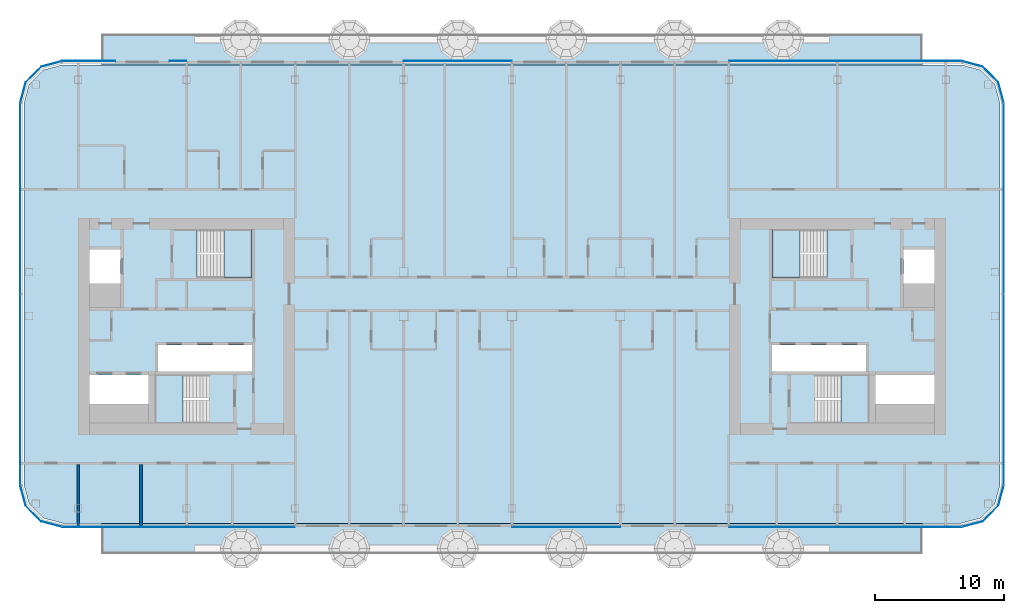
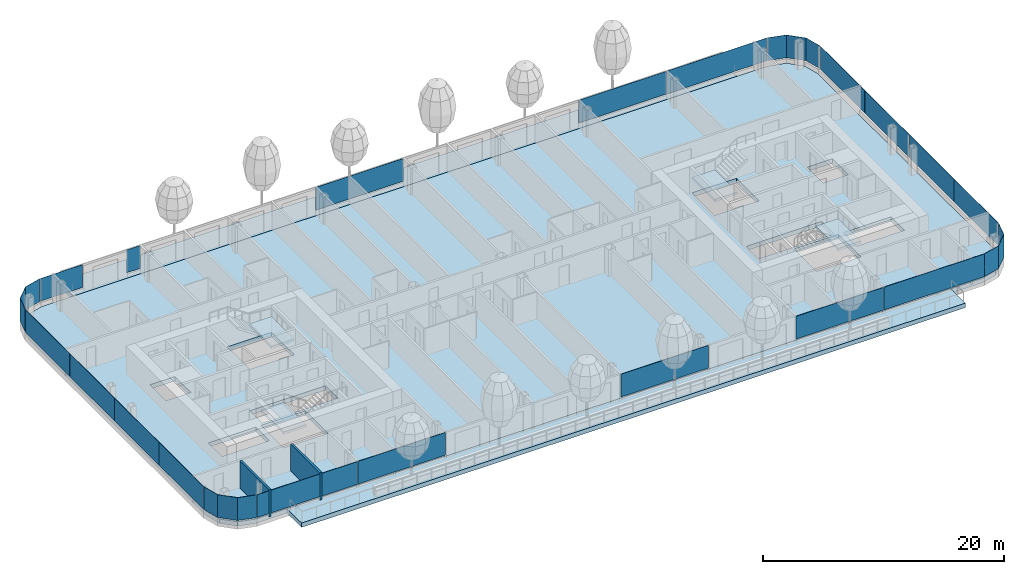
# One storey, part 10 of 29: 22 plates, 7 slabs, 2 walls, 12 elements without a shape of their own.
"""IFC4 building model written with IfcOpenShell, lengths in metres."""

from ifc_helpers import new_model, si_unit, direction, frame, frame_2d, origin, origin_2d, place, context, subcontext, project, spatial, polyline, rectangle, outline, extrude, material, layer, layer_set, type_object, element, aggregate, save


model = new_model("IFC4")

# Units and contexts
model_context = context("Model", 3, precision=1e-05, world=origin(), true_north=direction((0.0, 1.0)))
body_context = subcontext(model_context, "Body", "Model", "MODEL_VIEW")
ifc_project = project(units=[si_unit("LENGTHUNIT", "METRE"), si_unit("AREAUNIT", "SQUARE_METRE"), si_unit("VOLUMEUNIT", "CUBIC_METRE"), si_unit("PLANEANGLEUNIT", "RADIAN"), si_unit("MASSUNIT", "GRAM", prefix="KILO")], contexts=[model_context])

# Site, building, storey
site_placement = place(None, origin())
site = spatial("IfcSite", under=ifc_project, at=site_placement, CompositionType="ELEMENT")
building_placement = place(site_placement, origin())
building = spatial("IfcBuilding", under=site, at=building_placement, Name="Hakoniwa Tower and Hamabe Station Hall", CompositionType="ELEMENT")
storey_placement = place(building_placement, frame((0.0, 0.0, 205.800048828125)))
storey = spatial("IfcBuildingStorey", under=building, at=storey_placement, Name="L58", CompositionType="ELEMENT", Elevation=205.800048828125)

# Slabs
ifc_material_1 = material(Name="Concrete C42", Category="concrete")
ifc_layer_1 = layer(ifc_material_1, 0.25)
ifc_layer_set_1 = layer_set([ifc_layer_1], Name="BALCONY SLAB 250")
slab_type_1 = type_object("IfcSlabType", Name="BALCONY SLAB 250", PredefinedType="FLOOR", material=ifc_layer_set_1)
slab_1_placement = place(storey_placement, frame((0.0, 0.0, -0.449951171875)))
element("IfcSlab", 1, at=slab_1_placement, inside=storey, type_object=slab_type_1, Name="Balcony slab L58 BAL-L58-N", PredefinedType="FLOOR", context=body_context, shape_type="SweptSolid", body=[
    extrude(outline(polyline([(-31.800048828125, 20.25), (31.800048828125, 20.25), (31.800048828125, 22.64990234375), (-31.800048828125, 22.64990234375), (-31.800048828125, 20.25)])), origin(), (0.0, 0.0, 1.0), 0.449951171875),
])
slab_2_placement = place(storey_placement, frame((0.0, 0.0, -0.449951171875)))
element("IfcSlab", 2, at=slab_2_placement, inside=storey, type_object=slab_type_1, Name="Balcony slab L58 BAL-L58-S", PredefinedType="FLOOR", context=body_context, shape_type="SweptSolid", body=[
    extrude(outline(polyline([(-31.800048828125, -17.64990234375), (31.800048828125, -17.64990234375), (31.800048828125, -15.25), (-31.800048828125, -15.25), (-31.800048828125, -17.64990234375)])), origin(), (0.0, 0.0, 1.0), 0.449951171875),
])

# Stair, slab
ifc_material_2 = material(Name="Concrete C40", Category="concrete")
stair_type = type_object("IfcStairType", Name="ESCAPE STAIR 1800", PredefinedType="HALF_TURN_STAIR", material=ifc_material_2)
stair_1_placement = place(storey_placement, origin())
stair_1 = element("IfcStair", 3, at=stair_1_placement, inside=storey, type_object=stair_type, Name="Escape stair ST-1 L58", PredefinedType="HALF_TURN_STAIR")
ifc_material_3 = material(Name="Concrete C40", Category="concrete")
ifc_layer_2 = layer(ifc_material_3, 0.25)
ifc_layer_set_2 = layer_set([ifc_layer_2], Name="CORE STAIR LANDING 250")
slab_type_2 = type_object("IfcSlabType", Name="CORE STAIR LANDING 250", PredefinedType="LANDING", material=ifc_layer_set_2)
slab_3_placement = place(storey_placement, frame((0.0, 0.0, 1.349853515625)))
slab_3 = element("IfcSlab", 4, at=slab_3_placement, type_object=slab_type_2, Name="ST-1 landing 1", PredefinedType="LANDING", context=body_context, shape_type="SweptSolid", body=[
    extrude(outline(polyline([(-22.320068359375, 3.75), (-20.14990234375, 3.75), (-20.14990234375, 7.5), (-22.320068359375, 7.5), (-22.320068359375, 3.75)])), origin(), (0.0, 0.0, 1.0), 0.25),
])
aggregate(stair_1, [slab_3])

stair_2_placement = place(storey_placement, origin())
stair_2 = element("IfcStair", 5, at=stair_2_placement, inside=storey, type_object=stair_type, Name="Escape stair ST-2 L58", PredefinedType="HALF_TURN_STAIR")
slab_4_placement = place(storey_placement, frame((0.0, 0.0, 1.349853515625)))
slab_4 = element("IfcSlab", 6, at=slab_4_placement, type_object=slab_type_2, Name="ST-2 landing 1", PredefinedType="LANDING", context=body_context, shape_type="SweptSolid", body=[
    extrude(outline(polyline([(-25.47998046875, -7.5), (-27.64990234375, -7.5), (-27.64990234375, -3.75), (-25.47998046875, -3.75), (-25.47998046875, -7.5)])), origin(), (0.0, 0.0, 1.0), 0.25),
])
aggregate(stair_2, [slab_4])

stair_3_placement = place(storey_placement, origin())
stair_3 = element("IfcStair", 7, at=stair_3_placement, inside=storey, type_object=stair_type, Name="Escape stair ST-3 L58", PredefinedType="HALF_TURN_STAIR")
slab_5_placement = place(storey_placement, frame((0.0, 0.0, 1.349853515625)))
slab_5 = element("IfcSlab", 8, at=slab_5_placement, type_object=slab_type_2, Name="ST-3 landing 1", PredefinedType="LANDING", context=body_context, shape_type="SweptSolid", body=[
    extrude(outline(polyline([(22.320068359375, 3.75), (20.14990234375, 3.75), (20.14990234375, 7.5), (22.320068359375, 7.5), (22.320068359375, 3.75)])), origin(), (0.0, 0.0, 1.0), 0.25),
])
aggregate(stair_3, [slab_5])

stair_4_placement = place(storey_placement, origin())
stair_4 = element("IfcStair", 9, at=stair_4_placement, inside=storey, type_object=stair_type, Name="Escape stair ST-4 L58", PredefinedType="HALF_TURN_STAIR")
slab_6_placement = place(storey_placement, frame((0.0, 0.0, 1.349853515625)))
slab_6 = element("IfcSlab", 10, at=slab_6_placement, type_object=slab_type_2, Name="ST-4 landing 1", PredefinedType="LANDING", context=body_context, shape_type="SweptSolid", body=[
    extrude(outline(polyline([(25.47998046875, -7.5), (27.64990234375, -7.5), (27.64990234375, -3.75), (25.47998046875, -3.75), (25.47998046875, -7.5)])), origin(), (0.0, 0.0, 1.0), 0.25),
])
aggregate(stair_4, [slab_6])

# Curtain wall, plates
ifc_material_4 = material(Name="Dark low-e laminated glass", Category="glass")
ifc_layer_3 = layer(ifc_material_4, 0.199951171875)
ifc_layer_set_3 = layer_set([ifc_layer_3], Name="CW-1 UNITISED GUEST")
curtain_wall_type = type_object("IfcCurtainWallType", Name="CW-1 UNITISED GUEST", PredefinedType="NOTDEFINED", material=ifc_layer_set_3)
curtain_wall_1_placement = place(storey_placement, origin())
curtain_wall_1 = element("IfcCurtainWall", 11, at=curtain_wall_1_placement, inside=storey, type_object=curtain_wall_type, Name="CW-1 curtain wall", PredefinedType="NOTDEFINED")
ifc_material_5 = material(Name="Dark low-e laminated glass", Category="glass")
ifc_layer_4 = layer(ifc_material_5, 0.028076171875)
ifc_layer_set_4 = layer_set([ifc_layer_4], Name="CW-1 GLASS UNIT")
plate_type = type_object("IfcPlateType", Name="CW-1 GLASS UNIT", PredefinedType="CURTAIN_PANEL", material=ifc_layer_set_4)
plate_1_placement = place(storey_placement, frame((38.0859375, -8.592041015625, 0.35009765625), z_axis=(0.0, 0.0, 1.0), x_axis=(0.0, 1.0, 0.0)))
plate_1 = element("IfcPlate", 12, at=plate_1_placement, type_object=plate_type, Name="CW-1 glass unit", PredefinedType="CURTAIN_PANEL", context=body_context, shape_type="SweptSolid", body=[
    extrude(rectangle(XDim=7.374755859375, YDim=0.028076171875, at=origin_2d()), origin(), (0.0, 0.0, 1.0), 2.300048828125),
])
plate_2_placement = place(storey_placement, frame((38.0859375, -1.197265625, 0.35009765625), z_axis=(0.0, 0.0, 1.0), x_axis=(0.0, 1.0, 0.0)))
plate_2 = element("IfcPlate", 13, at=plate_2_placement, type_object=plate_type, Name="CW-1 glass unit", PredefinedType="CURTAIN_PANEL", context=body_context, shape_type="SweptSolid", body=[
    extrude(rectangle(XDim=7.374755859375, YDim=0.028076171875, at=origin_2d()), origin(), (0.0, 0.0, 1.0), 2.300048828125),
])
plate_3_placement = place(storey_placement, frame((38.0859375, 6.197265625, 0.35009765625), z_axis=(0.0, 0.0, 1.0), x_axis=(0.0, 1.0, 0.0)))
plate_3 = element("IfcPlate", 14, at=plate_3_placement, type_object=plate_type, Name="CW-1 glass unit", PredefinedType="CURTAIN_PANEL", context=body_context, shape_type="SweptSolid", body=[
    extrude(rectangle(XDim=7.374755859375, YDim=0.028076171875, at=origin_2d()), origin(), (0.0, 0.0, 1.0), 2.300048828125),
])
plate_4_placement = place(storey_placement, frame((38.0859375, 13.592041015625, 0.35009765625), z_axis=(0.0, 0.0, 1.0), x_axis=(0.0, 1.0, 0.0)))
plate_4 = element("IfcPlate", 15, at=plate_4_placement, type_object=plate_type, Name="CW-1 glass unit", PredefinedType="CURTAIN_PANEL", context=body_context, shape_type="SweptSolid", body=[
    extrude(rectangle(XDim=7.374755859375, YDim=0.028076171875, at=origin_2d()), origin(), (0.0, 0.0, 1.0), 2.300048828125),
])
aggregate(curtain_wall_1, [plate_1, plate_2, plate_3, plate_4])

# Curtain wall, plate
curtain_wall_2_placement = place(storey_placement, origin())
curtain_wall_2 = element("IfcCurtainWall", 16, at=curtain_wall_2_placement, inside=storey, type_object=curtain_wall_type, Name="CW-1 curtain wall", PredefinedType="NOTDEFINED")
plate_5_placement = place(storey_placement, frame((0.0, 0.0, 0.349853515625)))
plate_5 = element("IfcPlate", 17, at=plate_5_placement, type_object=plate_type, Name="CW-1 curved corner unit", PredefinedType="CURTAIN_PANEL", context=body_context, shape_type="SweptSolid", body=[
    extrude(outline(polyline([(38.089599609375, 17.328125), (37.6669921875, 18.9052734375), (36.455322265625, 20.116943359375), (34.878173828125, 20.53955078125), (34.870849609375, 20.5126953125), (36.44091796875, 20.092041015625), (37.641845703125, 18.890869140625), (38.0625, 17.32080078125), (38.089599609375, 17.328125)])), origin(), (0.0, 0.0, 1.0), 2.300048828125),
])
aggregate(curtain_wall_2, [plate_5])

# Curtain wall, plates
curtain_wall_3_placement = place(storey_placement, origin())
curtain_wall_3 = element("IfcCurtainWall", 18, at=curtain_wall_3_placement, inside=storey, type_object=curtain_wall_type, Name="CW-1 curtain wall", PredefinedType="NOTDEFINED")
plate_6_placement = place(storey_placement, frame((30.019775390625, 20.535888671875, 0.35009765625), z_axis=(0.0, 0.0, 1.0), x_axis=(-1.0, 0.0, 0.0)))
plate_6 = element("IfcPlate", 19, at=plate_6_placement, type_object=plate_type, Name="CW-1 glass unit", PredefinedType="CURTAIN_PANEL", context=body_context, shape_type="SweptSolid", body=[
    extrude(rectangle(XDim=9.619384765625, YDim=0.028076171875, at=origin_2d()), origin(), (0.0, 0.0, 1.0), 2.300048828125),
])
plate_7_placement = place(storey_placement, frame((21.0, 20.535888671875, 0.35009765625), z_axis=(0.0, 0.0, 1.0), x_axis=(-1.0, 0.0, 0.0)))
plate_7 = element("IfcPlate", 20, at=plate_7_placement, type_object=plate_type, Name="CW-1 glass unit", PredefinedType="CURTAIN_PANEL", context=body_context, shape_type="SweptSolid", body=[
    extrude(rectangle(XDim=8.3798828125, YDim=0.028076171875, at=origin_2d()), origin(), (0.0, 0.0, 1.0), 2.300048828125),
])
plate_8_placement = place(storey_placement, frame((-4.199951171875, 20.535888671875, 0.35009765625), z_axis=(0.0, 0.0, 1.0), x_axis=(-1.0, 0.0, 0.0)))
plate_8 = element("IfcPlate", 21, at=plate_8_placement, type_object=plate_type, Name="CW-1 glass unit", PredefinedType="CURTAIN_PANEL", context=body_context, shape_type="SweptSolid", body=[
    extrude(rectangle(XDim=8.3798828125, YDim=0.028076171875, at=origin_2d()), origin(), (0.0, 0.0, 1.0), 2.300048828125),
])
plate_9_placement = place(storey_placement, frame((-25.862548828125, 20.535888671875, 0.35009765625), z_axis=(0.0, 0.0, 1.0), x_axis=(-1.0, 0.0, 0.0)))
plate_9 = element("IfcPlate", 22, at=plate_9_placement, type_object=plate_type, Name="CW-1 glass unit", PredefinedType="CURTAIN_PANEL", context=body_context, shape_type="SweptSolid", body=[
    extrude(rectangle(XDim=1.304931640625, YDim=0.028076171875, at=origin_2d()), origin(), (0.0, 0.0, 1.0), 2.300048828125),
])
plate_10_placement = place(storey_placement, frame((-32.7822265625, 20.535888671875, 0.35009765625), z_axis=(0.0, 0.0, 1.0), x_axis=(-1.0, 0.0, 0.0)))
plate_10 = element("IfcPlate", 23, at=plate_10_placement, type_object=plate_type, Name="CW-1 glass unit", PredefinedType="CURTAIN_PANEL", context=body_context, shape_type="SweptSolid", body=[
    extrude(rectangle(XDim=4.094482421875, YDim=0.028076171875, at=origin_2d()), origin(), (0.0, 0.0, 1.0), 2.300048828125),
])
aggregate(curtain_wall_3, [plate_6, plate_7, plate_8, plate_9, plate_10])

# Curtain wall, plate
curtain_wall_4_placement = place(storey_placement, origin())
curtain_wall_4 = element("IfcCurtainWall", 24, at=curtain_wall_4_placement, inside=storey, type_object=curtain_wall_type, Name="CW-1 curtain wall", PredefinedType="NOTDEFINED")
plate_11_placement = place(storey_placement, frame((0.0, 0.0, 0.349853515625)))
plate_11 = element("IfcPlate", 25, at=plate_11_placement, type_object=plate_type, Name="CW-1 curved corner unit", PredefinedType="CURTAIN_PANEL", context=body_context, shape_type="SweptSolid", body=[
    extrude(outline(polyline([(-34.878173828125, 20.53955078125), (-36.455322265625, 20.116943359375), (-37.6669921875, 18.9052734375), (-38.089599609375, 17.328125), (-38.0625, 17.32080078125), (-37.641845703125, 18.890869140625), (-36.44091796875, 20.092041015625), (-34.870849609375, 20.5126953125), (-34.878173828125, 20.53955078125)])), origin(), (0.0, 0.0, 1.0), 2.300048828125),
])
aggregate(curtain_wall_4, [plate_11])

# Curtain wall, plates
curtain_wall_5_placement = place(storey_placement, origin())
curtain_wall_5 = element("IfcCurtainWall", 26, at=curtain_wall_5_placement, inside=storey, type_object=curtain_wall_type, Name="CW-1 curtain wall", PredefinedType="NOTDEFINED")
plate_12_placement = place(storey_placement, frame((-38.0859375, 13.592041015625, 0.35009765625), z_axis=(0.0, 0.0, 1.0), x_axis=(0.0, -1.0, 0.0)))
plate_12 = element("IfcPlate", 27, at=plate_12_placement, type_object=plate_type, Name="CW-1 glass unit", PredefinedType="CURTAIN_PANEL", context=body_context, shape_type="SweptSolid", body=[
    extrude(rectangle(XDim=7.374755859375, YDim=0.028076171875, at=origin_2d()), origin(), (0.0, 0.0, 1.0), 2.300048828125),
])
plate_13_placement = place(storey_placement, frame((-38.0859375, 6.197265625, 0.35009765625), z_axis=(0.0, 0.0, 1.0), x_axis=(0.0, -1.0, 0.0)))
plate_13 = element("IfcPlate", 28, at=plate_13_placement, type_object=plate_type, Name="CW-1 glass unit", PredefinedType="CURTAIN_PANEL", context=body_context, shape_type="SweptSolid", body=[
    extrude(rectangle(XDim=7.374755859375, YDim=0.028076171875, at=origin_2d()), origin(), (0.0, 0.0, 1.0), 2.300048828125),
])
plate_14_placement = place(storey_placement, frame((-38.0859375, -1.197265625, 0.35009765625), z_axis=(0.0, 0.0, 1.0), x_axis=(0.0, -1.0, 0.0)))
plate_14 = element("IfcPlate", 29, at=plate_14_placement, type_object=plate_type, Name="CW-1 glass unit", PredefinedType="CURTAIN_PANEL", context=body_context, shape_type="SweptSolid", body=[
    extrude(rectangle(XDim=7.374755859375, YDim=0.028076171875, at=origin_2d()), origin(), (0.0, 0.0, 1.0), 2.300048828125),
])
plate_15_placement = place(storey_placement, frame((-38.0859375, -8.592041015625, 0.35009765625), z_axis=(0.0, 0.0, 1.0), x_axis=(0.0, -1.0, 0.0)))
plate_15 = element("IfcPlate", 30, at=plate_15_placement, type_object=plate_type, Name="CW-1 glass unit", PredefinedType="CURTAIN_PANEL", context=body_context, shape_type="SweptSolid", body=[
    extrude(rectangle(XDim=7.374755859375, YDim=0.028076171875, at=origin_2d()), origin(), (0.0, 0.0, 1.0), 2.300048828125),
])
aggregate(curtain_wall_5, [plate_12, plate_13, plate_14, plate_15])

# Curtain wall, plate
curtain_wall_6_placement = place(storey_placement, origin())
curtain_wall_6 = element("IfcCurtainWall", 31, at=curtain_wall_6_placement, inside=storey, type_object=curtain_wall_type, Name="CW-1 curtain wall", PredefinedType="NOTDEFINED")
plate_16_placement = place(storey_placement, frame((0.0, 0.0, 0.349853515625)))
plate_16 = element("IfcPlate", 32, at=plate_16_placement, type_object=plate_type, Name="CW-1 curved corner unit", PredefinedType="CURTAIN_PANEL", context=body_context, shape_type="SweptSolid", body=[
    extrude(outline(polyline([(-38.089599609375, -12.328125), (-37.6669921875, -13.9052734375), (-36.455322265625, -15.116943359375), (-34.878173828125, -15.53955078125), (-34.870849609375, -15.5126953125), (-36.44091796875, -15.092041015625), (-37.641845703125, -13.890869140625), (-38.0625, -12.32080078125), (-38.089599609375, -12.328125)])), origin(), (0.0, 0.0, 1.0), 2.300048828125),
])
aggregate(curtain_wall_6, [plate_16])

# Curtain wall, plates
curtain_wall_7_placement = place(storey_placement, origin())
curtain_wall_7 = element("IfcCurtainWall", 33, at=curtain_wall_7_placement, inside=storey, type_object=curtain_wall_type, Name="CW-1 curtain wall", PredefinedType="NOTDEFINED")
plate_17_placement = place(storey_placement, frame((-30.019775390625, -15.535888671875, 0.35009765625), z_axis=(0.0, 0.0, 1.0), x_axis=(1.0, 0.0, 0.0)))
plate_17 = element("IfcPlate", 34, at=plate_17_placement, type_object=plate_type, Name="CW-1 glass unit", PredefinedType="CURTAIN_PANEL", context=body_context, shape_type="SweptSolid", body=[
    extrude(rectangle(XDim=9.619384765625, YDim=0.028076171875, at=origin_2d()), origin(), (0.0, 0.0, 1.0), 2.300048828125),
])
plate_18_placement = place(storey_placement, frame((-21.0, -15.535888671875, 0.35009765625), z_axis=(0.0, 0.0, 1.0), x_axis=(1.0, 0.0, 0.0)))
plate_18 = element("IfcPlate", 35, at=plate_18_placement, type_object=plate_type, Name="CW-1 glass unit", PredefinedType="CURTAIN_PANEL", context=body_context, shape_type="SweptSolid", body=[
    extrude(rectangle(XDim=8.3798828125, YDim=0.028076171875, at=origin_2d()), origin(), (0.0, 0.0, 1.0), 2.300048828125),
])
plate_19_placement = place(storey_placement, frame((4.199951171875, -15.535888671875, 0.35009765625), z_axis=(0.0, 0.0, 1.0), x_axis=(1.0, 0.0, 0.0)))
plate_19 = element("IfcPlate", 36, at=plate_19_placement, type_object=plate_type, Name="CW-1 glass unit", PredefinedType="CURTAIN_PANEL", context=body_context, shape_type="SweptSolid", body=[
    extrude(rectangle(XDim=8.3798828125, YDim=0.028076171875, at=origin_2d()), origin(), (0.0, 0.0, 1.0), 2.300048828125),
])
plate_20_placement = place(storey_placement, frame((21.0, -15.535888671875, 0.35009765625), z_axis=(0.0, 0.0, 1.0), x_axis=(1.0, 0.0, 0.0)))
plate_20 = element("IfcPlate", 37, at=plate_20_placement, type_object=plate_type, Name="CW-1 glass unit", PredefinedType="CURTAIN_PANEL", context=body_context, shape_type="SweptSolid", body=[
    extrude(rectangle(XDim=8.3798828125, YDim=0.028076171875, at=origin_2d()), origin(), (0.0, 0.0, 1.0), 2.300048828125),
])
plate_21_placement = place(storey_placement, frame((30.019775390625, -15.535888671875, 0.35009765625), z_axis=(0.0, 0.0, 1.0), x_axis=(1.0, 0.0, 0.0)))
plate_21 = element("IfcPlate", 38, at=plate_21_placement, type_object=plate_type, Name="CW-1 glass unit", PredefinedType="CURTAIN_PANEL", context=body_context, shape_type="SweptSolid", body=[
    extrude(rectangle(XDim=9.619384765625, YDim=0.028076171875, at=origin_2d()), origin(), (0.0, 0.0, 1.0), 2.300048828125),
])
aggregate(curtain_wall_7, [plate_17, plate_18, plate_19, plate_20, plate_21])

# Curtain wall, plate
curtain_wall_8_placement = place(storey_placement, origin())
curtain_wall_8 = element("IfcCurtainWall", 39, at=curtain_wall_8_placement, inside=storey, type_object=curtain_wall_type, Name="CW-1 curtain wall", PredefinedType="NOTDEFINED")
plate_22_placement = place(storey_placement, frame((0.0, 0.0, 0.349853515625)))
plate_22 = element("IfcPlate", 40, at=plate_22_placement, type_object=plate_type, Name="CW-1 curved corner unit", PredefinedType="CURTAIN_PANEL", context=body_context, shape_type="SweptSolid", body=[
    extrude(outline(polyline([(34.878173828125, -15.53955078125), (36.455322265625, -15.116943359375), (37.6669921875, -13.9052734375), (38.089599609375, -12.328125), (38.0625, -12.32080078125), (37.641845703125, -13.890869140625), (36.44091796875, -15.092041015625), (34.870849609375, -15.5126953125), (34.878173828125, -15.53955078125)])), origin(), (0.0, 0.0, 1.0), 2.300048828125),
])
aggregate(curtain_wall_8, [plate_22])

# Slab
ifc_material_6 = material(Name="Concrete C42", Category="concrete")
ifc_layer_5 = layer(ifc_material_6, 0.449951171875)
ifc_layer_set_5 = layer_set([ifc_layer_5], Name="PT FLAT PLATE 450")
slab_type_3 = type_object("IfcSlabType", Name="PT FLAT PLATE 450", PredefinedType="FLOOR", material=ifc_layer_set_5)
slab_7_placement = place(storey_placement, frame((0.0, 0.0, -0.449951171875)))
element("IfcSlab", 41, at=slab_7_placement, inside=storey, type_object=slab_type_3, Name="Floor slab L58", PredefinedType="FLOOR", context=body_context, shape_type="SweptSolid", body=[
    extrude(outline(polyline([(37.800048828125, -12.25), (37.800048828125, 17.25), (37.398193359375, 18.75), (36.300048828125, 19.84814453125), (34.800048828125, 20.25), (-34.800048828125, 20.25), (-36.300048828125, 19.84814453125), (-37.398193359375, 18.75), (-37.800048828125, 17.25), (-37.800048828125, -12.25), (-37.398193359375, -13.75), (-36.300048828125, -14.84814453125), (-34.800048828125, -15.25), (34.800048828125, -15.25), (36.300048828125, -14.84814453125), (37.398193359375, -13.75), (37.800048828125, -12.25)]), holes=[polyline([(-27.39990234375, -3.5), (-27.39990234375, -1.449951171875), (-20.14990234375, -1.449951171875), (-20.14990234375, -3.5), (-27.39990234375, -3.5)]), polyline([(-32.699951171875, 3.300048828125), (-32.699951171875, 5.949951171875), (-30.300048828125, 5.949951171875), (-30.300048828125, 3.300048828125), (-32.699951171875, 3.300048828125)]), polyline([(-32.699951171875, -6.0), (-32.699951171875, -3.75), (-28.14990234375, -3.75), (-28.14990234375, -6.0), (-32.699951171875, -6.0)]), polyline([(-24.389892578125, 3.75), (-24.389892578125, 7.5), (-20.14990234375, 7.5), (-20.14990234375, 3.75), (-24.389892578125, 3.75)]), polyline([(-27.64990234375, -7.5), (-27.64990234375, -3.75), (-23.409912109375, -3.75), (-23.409912109375, -7.5), (-27.64990234375, -7.5)]), polyline([(20.14990234375, -3.5), (20.14990234375, -1.449951171875), (27.39990234375, -1.449951171875), (27.39990234375, -3.5), (20.14990234375, -3.5)]), polyline([(30.300048828125, 3.300048828125), (30.300048828125, 5.949951171875), (32.699951171875, 5.949951171875), (32.699951171875, 3.300048828125), (30.300048828125, 3.300048828125)]), polyline([(28.14990234375, -6.0), (28.14990234375, -3.75), (32.699951171875, -3.75), (32.699951171875, -6.0), (28.14990234375, -6.0)]), polyline([(20.14990234375, 3.75), (20.14990234375, 7.5), (24.389892578125, 7.5), (24.389892578125, 3.75), (20.14990234375, 3.75)]), polyline([(23.409912109375, -7.5), (23.409912109375, -3.75), (27.64990234375, -3.75), (27.64990234375, -7.5), (23.409912109375, -7.5)])]), origin(), (0.0, 0.0, 1.0), 0.449951171875),
])

# Walls
ifc_material_7 = material(Name="Fire-rated gypsum board partition", Category="gypsum")
ifc_layer_6 = layer(ifc_material_7, 0.199951171875)
ifc_layer_set_6 = layer_set([ifc_layer_6], Name="Party Wall 200")
wall_type = type_object("IfcWallType", Name="Party Wall 200", PredefinedType="PARTITIONING", material=ifc_layer_set_6)
for number, where, z_axis, x_axis, name in (
    (42, (-33.60009765625, -15.550048828125, 0.0), (0.0, 0.0, 1.0), (0.0, 1.0, 0.0), "GW-L58-020"),
    (43, (-28.72998046875, -15.550048828125, 0.0), (0.0, 0.0, 1.0), (0.0, 1.0, 0.0), "GW-L58-023"),
):
    element("IfcWall", number, at=place(storey_placement, frame(where, z_axis=z_axis, x_axis=x_axis)), inside=storey, type_object=wall_type, Name=name, PredefinedType="PARTITIONING", context=body_context, shape_type="SweptSolid", body=[
        extrude(rectangle(XDim=4.85009765625, YDim=0.199951171875, at=frame_2d((2.425048828125, 0.0))), origin(), (0.0, 0.0, 1.0), 2.75),
    ])

save(model, "model.ifc")
